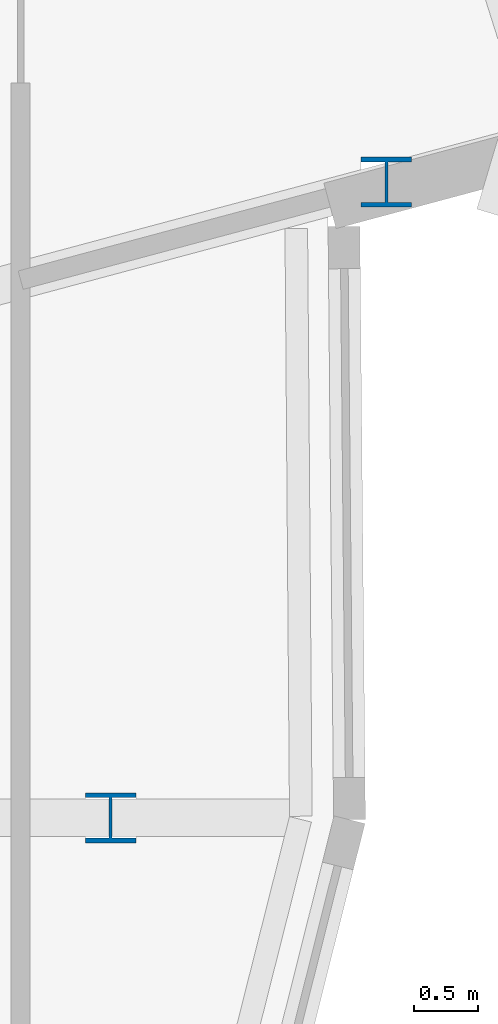
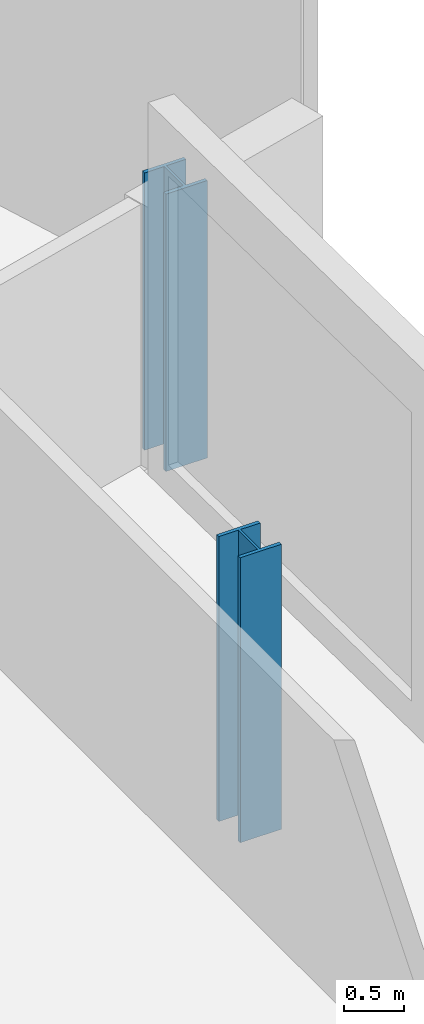
# One storey, part 2 of 36: 2 columns.
"""IFC4 building model written with IfcOpenShell, lengths in metres."""

from ifc_helpers import new_model, si_unit, direction, frame, origin, origin_2d, place, context, subcontext, project, spatial, i_section, extrude, material, material_profile, profile_set, type_object, element, save


model = new_model("IFC4")

# Units and contexts
model_context = context("Model", 3, precision=1e-05, world=origin(), true_north=direction((0.0, 1.0)))
body_context = subcontext(model_context, "Body", "Model", "MODEL_VIEW")
ifc_project = project(units=[si_unit("LENGTHUNIT", "METRE"), si_unit("AREAUNIT", "SQUARE_METRE"), si_unit("VOLUMEUNIT", "CUBIC_METRE"), si_unit("PLANEANGLEUNIT", "RADIAN"), si_unit("MASSUNIT", "GRAM", prefix="KILO")], contexts=[model_context])

# Site, building, storey
site_placement = place(None, origin())
site = spatial("IfcSite", under=ifc_project, at=site_placement, CompositionType="ELEMENT")
building_placement = place(site_placement, origin())
building = spatial("IfcBuilding", under=site, at=building_placement, Name="Rimbun Link Towers", CompositionType="ELEMENT")
storey_placement = place(building_placement, frame((0.0, 0.0, 200.699951171875)))
storey = spatial("IfcBuildingStorey", under=building, at=storey_placement, Name="L49", CompositionType="ELEMENT", Elevation=200.699951171875)

# Columns
ifc_material = material(Name="Steel S355J2", Category="steel")
ifc_material_profile = material_profile(ifc_material, i_section(OverallWidth=0.39892578125, OverallDepth=0.3935546875, WebThickness=0.022705078125, FlangeThickness=0.03662109375, at=origin_2d()), Name="UC 356x406x287")
ifc_profile_set = profile_set([ifc_material_profile], Name="Steel S355J2")
column_type = type_object("IfcColumnType", Name="UC 356x406x287", PredefinedType="COLUMN", material=ifc_profile_set)
column_1_placement = place(storey_placement, frame((48.232421875, 0.0, -0.14990234375), z_axis=(0.0, 0.0, 1.0), x_axis=(1.0, 0.0, 0.0)))
element("IfcColumn", 1, at=column_1_placement, inside=storey, type_object=column_type, Name="Crease post T2 L49 21", PredefinedType="COLUMN", context=body_context, shape_type="SweptSolid", body=[
    extrude(i_section(OverallWidth=0.39892578125, OverallDepth=0.3935546875, WebThickness=0.022705078125, FlangeThickness=0.03662109375, at=origin_2d()), origin(), (0.0, 0.0, 1.0), 2.9091796875),
])
column_2_placement = place(storey_placement, frame((50.39990234375, 4.997314453125, -0.14990234375), z_axis=(0.0, 0.0, 1.0), x_axis=(1.0, 0.0, 0.0)))
element("IfcColumn", 2, at=column_2_placement, inside=storey, type_object=column_type, Name="Crease post T2 L49 22", PredefinedType="COLUMN", context=body_context, shape_type="SweptSolid", body=[
    extrude(i_section(OverallWidth=0.39892578125, OverallDepth=0.3935546875, WebThickness=0.022705078125, FlangeThickness=0.03662109375, at=origin_2d()), origin(), (0.0, 0.0, 1.0), 2.83154296875),
])

save(model, "model.ifc")
